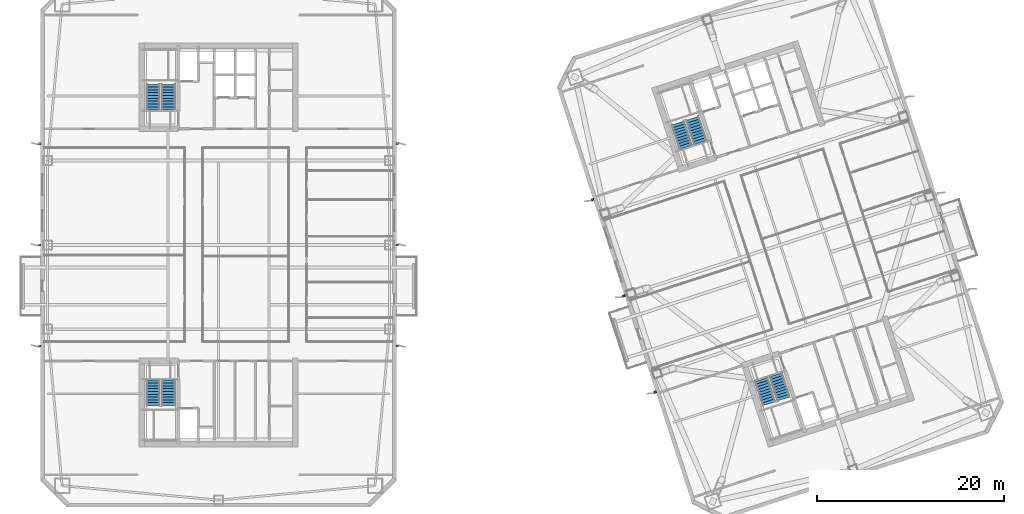
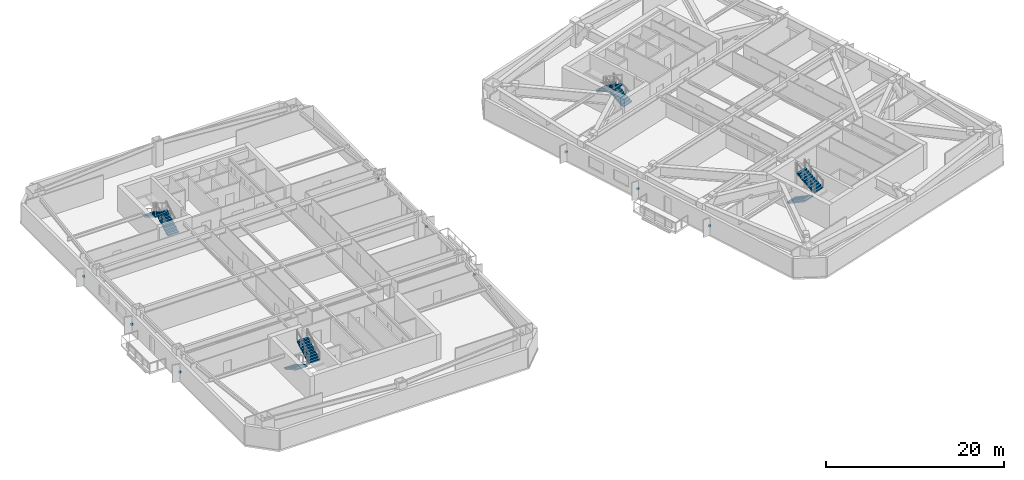
# One storey, part 11 of 17: 9 discrete accessories, 8 stair flights, 4 elements without a shape of their own.
"""IFC4 building model written with IfcOpenShell, lengths in metres."""

import ifcopenshell
import ifcopenshell.guid

model = None  # the IFC model being written
_history = None  # IfcOwnerHistory: only IFC2X3 demands one
_inside = {}  # id of a spatial element -> (the spatial element, [elements in it])
_under = {}  # id of a project, library or spatial element -> (it, [spatial elements below it])
_declared = {}  # id of a project -> (the project, [libraries it declares])
_typed = {}  # id of a type object -> (the type object, [elements of that type])
_made_of = {}  # id of a material, layer set ... -> (it, [elements and type objects made of it])


def new_model(schema):
    """Start an empty IFC model of exactly this schema.

    Asked for "IFC4X3", IfcOpenShell would pick the latest addendum, in which some entities
    have other attributes; the version numbers below select the first issue.
    IFC2X3 requires an IfcOwnerHistory on every rooted entity: one is made here for all.
    """
    global model, _history
    if schema == "IFC4X3":
        model = ifcopenshell.file(schema_version=(4, 3, 0, 0))
    else:
        model = ifcopenshell.file(schema=schema)
    _inside.clear()
    _under.clear()
    _declared.clear()
    _typed.clear()
    _made_of.clear()
    _history = None
    if model.schema == "IFC2X3":
        org = make("IfcOrganization", Name="unknown")
        user = make(
            "IfcPersonAndOrganization",
            ThePerson=make("IfcPerson", FamilyName="unknown"),
            TheOrganization=org,
        )
        app = make(
            "IfcApplication",
            ApplicationDeveloper=org,
            Version="unknown",
            ApplicationFullName="unknown",
            ApplicationIdentifier="unknown",
        )
        _history = make(
            "IfcOwnerHistory",
            OwningUser=user,
            OwningApplication=app,
            ChangeAction="ADDED",
            CreationDate=0,
        )
    return model


def make(cls, **values):
    """One entity of the class cls with the attributes given. An attribute that is None is left unset."""
    return model.create_entity(
        cls, **{name: value for name, value in values.items() if value is not None}
    )


def rooted(cls, **values):
    """An entity with a GlobalId (a new one), such as an element, a storey or a relation."""
    return make(cls, GlobalId=ifcopenshell.guid.new(), OwnerHistory=_history, **values)


def si_unit(unit_type, name, prefix=None):
    """IfcSIUnit, for example si_unit("LENGTHUNIT", "METRE", prefix="MILLI")."""
    return make("IfcSIUnit", UnitType=unit_type, Prefix=prefix, Name=name)


def assignment(units):
    """IfcUnitAssignment: the units of a project."""
    return None if units is None else make("IfcUnitAssignment", Units=units)


def point(xyz):
    """IfcCartesianPoint."""
    return None if xyz is None else make("IfcCartesianPoint", Coordinates=xyz)


def direction(xyz):
    """IfcDirection."""
    return None if xyz is None else make("IfcDirection", DirectionRatios=xyz)


def frame(location, z_axis=None, x_axis=None):
    """IfcAxis2Placement3D, a coordinate frame: its origin and axes. An axis left out is left unset."""
    return make(
        "IfcAxis2Placement3D",
        Location=point(location),
        Axis=direction(z_axis),
        RefDirection=direction(x_axis),
    )


def frame_2d(location, x_axis=None):
    """IfcAxis2Placement2D, a coordinate frame in the plane: its origin and x axis."""
    return make(
        "IfcAxis2Placement2D", Location=point(location), RefDirection=direction(x_axis)
    )


def origin():
    """The frame at (0, 0, 0) with its axes left unset."""
    return frame((0.0, 0.0, 0.0))


def origin_2d():
    """The frame at (0, 0) in the plane with its x axis left unset."""
    return frame_2d((0.0, 0.0))


def place(relative_to, where):
    """IfcLocalPlacement: puts the frame where relative to a parent placement (None: the world)."""
    return make(
        "IfcLocalPlacement", PlacementRelTo=relative_to, RelativePlacement=where
    )


def context(
    kind, dimensions, precision=None, world=None, true_north=None, identifier=None
):
    """IfcGeometricRepresentationContext, for example the 3D "Model" context."""
    return make(
        "IfcGeometricRepresentationContext",
        ContextIdentifier=identifier,
        ContextType=kind,
        CoordinateSpaceDimension=dimensions,
        Precision=precision,
        WorldCoordinateSystem=world,
        TrueNorth=true_north,
    )


def subcontext(parent, identifier, kind, view, scale=None):
    """IfcGeometricRepresentationSubContext, for example "Body" below "Model"."""
    return make(
        "IfcGeometricRepresentationSubContext",
        ContextIdentifier=identifier,
        ContextType=kind,
        ParentContext=parent,
        TargetScale=scale,
        TargetView=view,
    )


def project(units=None, contexts=None):
    """IfcProject with its units and contexts."""
    return rooted(
        "IfcProject",
        Name="project",
        RepresentationContexts=contexts,
        UnitsInContext=assignment(units),
    )


def spatial(cls, under=None, at=None, **own):
    """A site, building, storey or space (cls), placed at a placement, below another one or the project."""
    s = rooted(cls, ObjectPlacement=at, **own)
    if under is not None:
        _under.setdefault(under.id(), (under, []))[1].append(s)
    return s


def polyline(points):
    """IfcPolyline through the points."""
    return make("IfcPolyline", Points=[point(p) for p in points])


def profile(cls, at=None, kind="AREA", **sizes):
    """A parametric profile (cls). Its sizes go by their IFC names, for example OverallWidth=200.0."""
    return make(cls, ProfileType=kind, Position=at, **sizes)


def rectangle(**sizes):
    """IfcRectangleProfileDef."""
    return profile("IfcRectangleProfileDef", **sizes)


def outline(outer, holes=None, kind="AREA"):
    """IfcArbitraryClosedProfileDef: a profile drawn as a closed curve; with holes, ...WithVoids."""
    if holes is None:
        return make("IfcArbitraryClosedProfileDef", ProfileType=kind, OuterCurve=outer)
    return make(
        "IfcArbitraryProfileDefWithVoids",
        ProfileType=kind,
        OuterCurve=outer,
        InnerCurves=holes,
    )


def extrude(swept, where, along, depth):
    """IfcExtrudedAreaSolid: the profile swept, set in the frame where, extruded along a direction by depth."""
    return make(
        "IfcExtrudedAreaSolid",
        SweptArea=swept,
        Position=where,
        ExtrudedDirection=direction(along),
        Depth=depth,
    )


def shape(context_of_items, identifier, shape_type, items):
    """IfcShapeRepresentation: the items that make up one representation, for example the "Body"."""
    return make(
        "IfcShapeRepresentation",
        ContextOfItems=context_of_items,
        RepresentationIdentifier=identifier,
        RepresentationType=shape_type,
        Items=items,
    )


def material(Name=None, Category=None):
    """IfcMaterial."""
    return make("IfcMaterial", Name=Name, Category=Category)


def made_of(thing, what):
    """Note that an element or type object is made of a material, layer set ...; save() writes the relation."""
    if what is not None:
        _made_of.setdefault(what.id(), (what, []))[1].append(thing)
    return thing


def type_object(cls, material=None, **own):
    """A type object (cls), such as IfcWallType, which elements share."""
    return made_of(rooted(cls, **own), material)


def element(
    cls,
    number,
    at=None,
    inside=None,
    cuts=None,
    type_object=None,
    material=None,
    context=None,
    identifier="Body",
    shape_type=None,
    held_by="IfcProductDefinitionShape",
    body=None,
    shapes=None,
    **own,
):
    """One element of the class cls, such as IfcWall. Its Tag is "e" and its number.

    at: its placement. inside: the storey or other place that contains it. cuts: it is an
    opening in that element (IfcRelVoidsElement). A single representation is given by context,
    identifier, shape_type and body (its items); several are given by shapes. held_by: the class
    of the entity that holds the representations. save() writes the other relations.
    """
    e = rooted(cls, Tag="e%d" % number, ObjectPlacement=at, **own)
    if body is not None:
        shapes = [shape(context, identifier, shape_type, body)]
    if shapes is not None:
        e.Representation = make(held_by, Representations=shapes)
    if inside is not None:
        _inside.setdefault(inside.id(), (inside, []))[1].append(e)
    if cuts is not None:
        rooted(
            "IfcRelVoidsElement", RelatingBuildingElement=cuts, RelatedOpeningElement=e
        )
    if type_object is not None:
        _typed.setdefault(type_object.id(), (type_object, []))[1].append(e)
    return made_of(e, material)


def aggregate(whole, parts):
    """IfcRelAggregates: a whole, such as a stair, and the parts it consists of."""
    return rooted("IfcRelAggregates", RelatingObject=whole, RelatedObjects=parts)


def save(model, path):
    """Write the relations noted so far, then the file.

    IfcRelAggregates (storeys below a building ...), IfcRelContainedInSpatialStructure (elements
    in a storey), IfcRelDefinesByType, IfcRelAssociatesMaterial and IfcRelDeclares: one each for
    every whole, place, type object, material and project.
    """
    for whole, parts in _under.values():
        aggregate(whole, parts)
    for where, things in _inside.values():
        rooted(
            "IfcRelContainedInSpatialStructure",
            RelatedElements=things,
            RelatingStructure=where,
        )
    for kind, things in _typed.values():
        rooted("IfcRelDefinesByType", RelatedObjects=things, RelatingType=kind)
    for what, things in _made_of.values():
        rooted("IfcRelAssociatesMaterial", RelatedObjects=things, RelatingMaterial=what)
    for by, libraries in _declared.values():
        rooted("IfcRelDeclares", RelatingContext=by, RelatedDefinitions=libraries)
    model.write(path)


model = new_model("IFC4")

# Units and contexts
model_context = context("Model", 3, precision=1e-05, world=origin(), true_north=direction((0.0, 1.0)))
body_context = subcontext(model_context, "Body", "Model", "MODEL_VIEW")
ifc_project = project(units=[si_unit("LENGTHUNIT", "METRE"), si_unit("AREAUNIT", "SQUARE_METRE"), si_unit("VOLUMEUNIT", "CUBIC_METRE"), si_unit("PLANEANGLEUNIT", "RADIAN"), si_unit("MASSUNIT", "GRAM", prefix="KILO")], contexts=[model_context])

# Site, building, storey
site_placement = place(None, origin())
site = spatial("IfcSite", under=ifc_project, at=site_placement, CompositionType="ELEMENT")
building_placement = place(site_placement, origin())
building = spatial("IfcBuilding", under=site, at=building_placement, Name="Qiaolan Cultural Towers", CompositionType="ELEMENT")
storey_placement = place(building_placement, frame((0.0, 0.0, 131.10009765625)))
storey = spatial("IfcBuildingStorey", under=building, at=storey_placement, Name="L34", CompositionType="ELEMENT", Elevation=131.10009765625)

# Stair, stair flights
ifc_material_1 = material(Name="Concrete C45", Category="concrete")
stair_type = type_object("IfcStairType", Name="STR-CORE-1500", PredefinedType="HALF_TURN_STAIR", material=ifc_material_1)
stair_1_placement = place(storey_placement, origin())
stair_1 = element("IfcStair", 1, at=stair_1_placement, inside=storey, type_object=stair_type, Name="L34 Smokeproof Exit Stair ST-W1", PredefinedType="HALF_TURN_STAIR")
ifc_material_2 = material(Name="Concrete C45", Category="concrete")
stair_flight_type = type_object("IfcStairFlightType", Name="STR-CORE-1500-FL", PredefinedType="STRAIGHT", material=ifc_material_2)
stair_flight_1_placement = place(storey_placement, frame((23.02001953125, 19.550048828125, 0.0), z_axis=(0.0, 0.0, 1.0), x_axis=(0.0, -1.0, 0.0)))
stair_flight_1 = element("IfcStairFlight", 2, at=stair_flight_1_placement, type_object=stair_flight_type, Name="ST-W1 flight 1", NumberOfRisers=10, NumberOfTreads=9, PredefinedType="STRAIGHT", RiserHeight=0.1725, TreadLength=0.3, context=body_context, shape_type="SweptSolid", body=[
    extrude(outline(polyline([(0.0, 0.0), (0.0, 0.172607421875), (0.300048828125, 0.172607421875), (0.300048828125, 0.344970703125), (0.60009765625, 0.344970703125), (0.60009765625, 0.517578125), (0.89990234375, 0.517578125), (0.89990234375, 0.68994140625), (1.199951171875, 0.68994140625), (1.199951171875, 0.862548828125), (1.5, 0.862548828125), (1.5, 1.034912109375), (1.800048828125, 1.034912109375), (1.800048828125, 1.20751953125), (2.10009765625, 1.20751953125), (2.10009765625, 1.3798828125), (2.39990234375, 1.3798828125), (2.39990234375, 1.552490234375), (2.699951171875, 1.552490234375), (2.699951171875, 1.72509765625), (2.699951171875, 1.379638671875), (0.30078125, 0.0), (0.0, 0.0)])), frame((0.0, 0.719970703125, 0.0), z_axis=(0.0, -1.0, 0.0), x_axis=(1.0, 0.0, 0.0)), (0.0, 0.0, 1.0), 1.43994140625),
])
stair_flight_2_placement = place(storey_placement, frame((24.659912109375, 16.85009765625, 1.724853515625), z_axis=(0.0, 0.0, 1.0), x_axis=(0.0, 1.0, 0.0)))
stair_flight_2 = element("IfcStairFlight", 3, at=stair_flight_2_placement, type_object=stair_flight_type, Name="ST-W1 flight 2", NumberOfRisers=10, NumberOfTreads=9, PredefinedType="STRAIGHT", RiserHeight=0.1725, TreadLength=0.3, context=body_context, shape_type="SweptSolid", body=[
    extrude(outline(polyline([(0.0, 0.0), (0.0, 0.172607421875), (0.300048828125, 0.172607421875), (0.300048828125, 0.344970703125), (0.60009765625, 0.344970703125), (0.60009765625, 0.517578125), (0.89990234375, 0.517578125), (0.89990234375, 0.68994140625), (1.199951171875, 0.68994140625), (1.199951171875, 0.862548828125), (1.5, 0.862548828125), (1.5, 1.034912109375), (1.800048828125, 1.034912109375), (1.800048828125, 1.20751953125), (2.10009765625, 1.20751953125), (2.10009765625, 1.3798828125), (2.39990234375, 1.3798828125), (2.39990234375, 1.552490234375), (2.699951171875, 1.552490234375), (2.699951171875, 1.72509765625), (2.699951171875, 1.379638671875), (0.30078125, 0.0), (0.0, 0.0)])), frame((0.0, 0.719970703125, 0.0), z_axis=(0.0, -1.0, 0.0), x_axis=(1.0, 0.0, 0.0)), (0.0, 0.0, 1.0), 1.43994140625),
])
aggregate(stair_1, [stair_flight_1, stair_flight_2])

stair_2_placement = place(storey_placement, origin())
stair_2 = element("IfcStair", 4, at=stair_2_placement, inside=storey, type_object=stair_type, Name="L34 Smokeproof Exit Stair ST-W2", PredefinedType="HALF_TURN_STAIR")
stair_flight_3_placement = place(storey_placement, frame((24.659912109375, 48.449951171875, 0.0), z_axis=(0.0, 0.0, 1.0), x_axis=(0.0, 1.0, 0.0)))
stair_flight_3 = element("IfcStairFlight", 5, at=stair_flight_3_placement, type_object=stair_flight_type, Name="ST-W2 flight 1", NumberOfRisers=10, NumberOfTreads=9, PredefinedType="STRAIGHT", RiserHeight=0.1725, TreadLength=0.3, context=body_context, shape_type="SweptSolid", body=[
    extrude(outline(polyline([(0.0, 0.0), (0.0, 0.172607421875), (0.300048828125, 0.172607421875), (0.300048828125, 0.344970703125), (0.60009765625, 0.344970703125), (0.60009765625, 0.517578125), (0.89990234375, 0.517578125), (0.89990234375, 0.68994140625), (1.199951171875, 0.68994140625), (1.199951171875, 0.862548828125), (1.5, 0.862548828125), (1.5, 1.034912109375), (1.800048828125, 1.034912109375), (1.800048828125, 1.20751953125), (2.10009765625, 1.20751953125), (2.10009765625, 1.3798828125), (2.39990234375, 1.3798828125), (2.39990234375, 1.552490234375), (2.699951171875, 1.552490234375), (2.699951171875, 1.72509765625), (2.699951171875, 1.379638671875), (0.30078125, 0.0), (0.0, 0.0)])), frame((0.0, 0.719970703125, 0.0), z_axis=(0.0, -1.0, 0.0), x_axis=(1.0, 0.0, 0.0)), (0.0, 0.0, 1.0), 1.43994140625),
])
stair_flight_4_placement = place(storey_placement, frame((23.02001953125, 51.14990234375, 1.724853515625), z_axis=(0.0, 0.0, 1.0), x_axis=(0.0, -1.0, 0.0)))
stair_flight_4 = element("IfcStairFlight", 6, at=stair_flight_4_placement, type_object=stair_flight_type, Name="ST-W2 flight 2", NumberOfRisers=10, NumberOfTreads=9, PredefinedType="STRAIGHT", RiserHeight=0.1725, TreadLength=0.3, context=body_context, shape_type="SweptSolid", body=[
    extrude(outline(polyline([(0.0, 0.0), (0.0, 0.172607421875), (0.300048828125, 0.172607421875), (0.300048828125, 0.344970703125), (0.60009765625, 0.344970703125), (0.60009765625, 0.517578125), (0.89990234375, 0.517578125), (0.89990234375, 0.68994140625), (1.199951171875, 0.68994140625), (1.199951171875, 0.862548828125), (1.5, 0.862548828125), (1.5, 1.034912109375), (1.800048828125, 1.034912109375), (1.800048828125, 1.20751953125), (2.10009765625, 1.20751953125), (2.10009765625, 1.3798828125), (2.39990234375, 1.3798828125), (2.39990234375, 1.552490234375), (2.699951171875, 1.552490234375), (2.699951171875, 1.72509765625), (2.699951171875, 1.379638671875), (0.30078125, 0.0), (0.0, 0.0)])), frame((0.0, 0.719970703125, 0.0), z_axis=(0.0, -1.0, 0.0), x_axis=(1.0, 0.0, 0.0)), (0.0, 0.0, 1.0), 1.43994140625),
])
aggregate(stair_2, [stair_flight_3, stair_flight_4])

stair_3_placement = place(storey_placement, origin())
stair_3 = element("IfcStair", 7, at=stair_3_placement, inside=storey, type_object=stair_type, Name="L34 Smokeproof Exit Stair ST-E1", PredefinedType="HALF_TURN_STAIR")
stair_flight_5_placement = place(storey_placement, frame((87.96484375, 19.6171875, 0.0), z_axis=(0.0, 0.0, 1.0), x_axis=(0.309016994375, -0.951056516295, 0.0)))
stair_flight_5 = element("IfcStairFlight", 8, at=stair_flight_5_placement, type_object=stair_flight_type, Name="ST-E1 flight 1", NumberOfRisers=10, NumberOfTreads=9, PredefinedType="STRAIGHT", RiserHeight=0.1725, TreadLength=0.3, context=body_context, shape_type="SweptSolid", body=[
    extrude(outline(polyline([(0.0, 0.0), (0.0, 0.172607421875), (0.300048828125, 0.172607421875), (0.300048828125, 0.344970703125), (0.60009765625, 0.344970703125), (0.60009765625, 0.517578125), (0.89990234375, 0.517578125), (0.89990234375, 0.68994140625), (1.199951171875, 0.68994140625), (1.199951171875, 0.862548828125), (1.5, 0.862548828125), (1.5, 1.034912109375), (1.800048828125, 1.034912109375), (1.800048828125, 1.20751953125), (2.10009765625, 1.20751953125), (2.10009765625, 1.3798828125), (2.39990234375, 1.3798828125), (2.39990234375, 1.552490234375), (2.699951171875, 1.552490234375), (2.699951171875, 1.72509765625), (2.699951171875, 1.379638671875), (0.30078125, 0.0), (0.0, 0.0)])), frame((0.0, 0.719970703125, 0.0), z_axis=(0.0, -1.0, 0.0), x_axis=(1.0, 0.0, 0.0)), (0.0, 0.0, 1.0), 1.43994140625),
])
stair_flight_6_placement = place(storey_placement, frame((90.359130859375, 17.55615234375, 1.724853515625), z_axis=(0.0, 0.0, 1.0), x_axis=(-0.309016994375, 0.951056516295, 0.0)))
stair_flight_6 = element("IfcStairFlight", 9, at=stair_flight_6_placement, type_object=stair_flight_type, Name="ST-E1 flight 2", NumberOfRisers=10, NumberOfTreads=9, PredefinedType="STRAIGHT", RiserHeight=0.1725, TreadLength=0.3, context=body_context, shape_type="SweptSolid", body=[
    extrude(outline(polyline([(0.0, 0.0), (0.0, 0.172607421875), (0.300048828125, 0.172607421875), (0.300048828125, 0.344970703125), (0.60009765625, 0.344970703125), (0.60009765625, 0.517578125), (0.89990234375, 0.517578125), (0.89990234375, 0.68994140625), (1.199951171875, 0.68994140625), (1.199951171875, 0.862548828125), (1.5, 0.862548828125), (1.5, 1.034912109375), (1.800048828125, 1.034912109375), (1.800048828125, 1.20751953125), (2.10009765625, 1.20751953125), (2.10009765625, 1.3798828125), (2.39990234375, 1.3798828125), (2.39990234375, 1.552490234375), (2.699951171875, 1.552490234375), (2.699951171875, 1.72509765625), (2.699951171875, 1.379638671875), (0.30078125, 0.0), (0.0, 0.0)])), frame((0.0, 0.719970703125, 0.0), z_axis=(0.0, -1.0, 0.0), x_axis=(1.0, 0.0, 0.0)), (0.0, 0.0, 1.0), 1.43994140625),
])
aggregate(stair_3, [stair_flight_5, stair_flight_6])

stair_4_placement = place(storey_placement, origin())
stair_4 = element("IfcStair", 10, at=stair_4_placement, inside=storey, type_object=stair_type, Name="L34 Smokeproof Exit Stair ST-E2", PredefinedType="HALF_TURN_STAIR")
stair_flight_7_placement = place(storey_placement, frame((81.459228515625, 44.946533203125, 0.0), z_axis=(0.0, 0.0, 1.0), x_axis=(-0.309016994375, 0.951056516295, 0.0)))
stair_flight_7 = element("IfcStairFlight", 11, at=stair_flight_7_placement, type_object=stair_flight_type, Name="ST-E2 flight 1", NumberOfRisers=10, NumberOfTreads=9, PredefinedType="STRAIGHT", RiserHeight=0.1725, TreadLength=0.3, context=body_context, shape_type="SweptSolid", body=[
    extrude(outline(polyline([(0.0, 0.0), (0.0, 0.172607421875), (0.300048828125, 0.172607421875), (0.300048828125, 0.344970703125), (0.60009765625, 0.344970703125), (0.60009765625, 0.517578125), (0.89990234375, 0.517578125), (0.89990234375, 0.68994140625), (1.199951171875, 0.68994140625), (1.199951171875, 0.862548828125), (1.5, 0.862548828125), (1.5, 1.034912109375), (1.800048828125, 1.034912109375), (1.800048828125, 1.20751953125), (2.10009765625, 1.20751953125), (2.10009765625, 1.3798828125), (2.39990234375, 1.3798828125), (2.39990234375, 1.552490234375), (2.699951171875, 1.552490234375), (2.699951171875, 1.72509765625), (2.699951171875, 1.379638671875), (0.30078125, 0.0), (0.0, 0.0)])), frame((0.0, 0.719970703125, 0.0), z_axis=(0.0, -1.0, 0.0), x_axis=(1.0, 0.0, 0.0)), (0.0, 0.0, 1.0), 1.43994140625),
])
stair_flight_8_placement = place(storey_placement, frame((79.065185546875, 47.007568359375, 1.724853515625), z_axis=(0.0, 0.0, 1.0), x_axis=(0.309016994375, -0.951056516295, 0.0)))
stair_flight_8 = element("IfcStairFlight", 12, at=stair_flight_8_placement, type_object=stair_flight_type, Name="ST-E2 flight 2", NumberOfRisers=10, NumberOfTreads=9, PredefinedType="STRAIGHT", RiserHeight=0.1725, TreadLength=0.3, context=body_context, shape_type="SweptSolid", body=[
    extrude(outline(polyline([(0.0, 0.0), (0.0, 0.172607421875), (0.300048828125, 0.172607421875), (0.300048828125, 0.344970703125), (0.60009765625, 0.344970703125), (0.60009765625, 0.517578125), (0.89990234375, 0.517578125), (0.89990234375, 0.68994140625), (1.199951171875, 0.68994140625), (1.199951171875, 0.862548828125), (1.5, 0.862548828125), (1.5, 1.034912109375), (1.800048828125, 1.034912109375), (1.800048828125, 1.20751953125), (2.10009765625, 1.20751953125), (2.10009765625, 1.3798828125), (2.39990234375, 1.3798828125), (2.39990234375, 1.552490234375), (2.699951171875, 1.552490234375), (2.699951171875, 1.72509765625), (2.699951171875, 1.379638671875), (0.30078125, 0.0), (0.0, 0.0)])), frame((0.0, 0.719970703125, 0.0), z_axis=(0.0, -1.0, 0.0), x_axis=(1.0, 0.0, 0.0)), (0.0, 0.0, 1.0), 1.43994140625),
])
aggregate(stair_4, [stair_flight_7, stair_flight_8])

# Discrete accessories
ifc_material_3 = material(Name="Stainless Steel S31608 Facade Anchor Bracket", Category="steel")
discrete_accessory_type = type_object("IfcDiscreteAccessoryType", Name="ACC-BRK-SS", PredefinedType="BRACKET", material=ifc_material_3)
for number, where, z_axis, x_axis, name in (
    (13, (10.919921875, 23.199951171875, 1.18505859375), (0.0, 0.0, 1.0), (1.0, 0.0, 0.0), "L34 T1 Facade Fin Anchor Bracket W1"),
    (14, (10.919921875, 34.0, 1.18505859375), (0.0, 0.0, 1.0), (1.0, 0.0, 0.0), "L34 T1 Facade Fin Anchor Bracket W2"),
    (15, (10.919921875, 44.800048828125, 1.18505859375), (0.0, 0.0, 1.0), (1.0, 0.0, 0.0), "L34 T1 Facade Fin Anchor Bracket W3"),
    (16, (49.080078125, 23.199951171875, 1.18505859375), (0.0, 0.0, 1.0), (1.0, 0.0, 0.0), "L34 T1 Facade Fin Anchor Bracket E1"),
    (17, (49.080078125, 34.0, 1.18505859375), (0.0, 0.0, 1.0), (1.0, 0.0, 0.0), "L34 T1 Facade Fin Anchor Bracket E2"),
    (18, (49.080078125, 44.800048828125, 1.18505859375), (0.0, 0.0, 1.0), (1.0, 0.0, 0.0), "L34 T1 Facade Fin Anchor Bracket E3"),
    (19, (76.617919921875, 18.296142578125, 1.18505859375), (0.0, 0.0, 1.0), (0.951056516295, 0.309016994375, 0.0), "L34 T2 Facade Fin Anchor Bracket W1"),
    (20, (73.280517578125, 28.5673828125, 1.18505859375), (0.0, 0.0, 1.0), (0.951056516295, 0.309016994375, 0.0), "L34 T2 Facade Fin Anchor Bracket W2"),
    (21, (69.943115234375, 38.8388671875, 1.18505859375), (0.0, 0.0, 1.0), (0.951056516295, 0.309016994375, 0.0), "L34 T2 Facade Fin Anchor Bracket W3"),
):
    element("IfcDiscreteAccessory", number, at=place(storey_placement, frame(where, z_axis=z_axis, x_axis=x_axis)), inside=storey, type_object=discrete_accessory_type, Name=name, PredefinedType="BRACKET", context=body_context, shape_type="SweptSolid", body=[
        extrude(rectangle(XDim=0.280029296875, YDim=0.219970703125, at=origin_2d()), origin(), (0.0, 0.0, 1.0), 0.239990234375),
    ])

save(model, "model.ifc")
